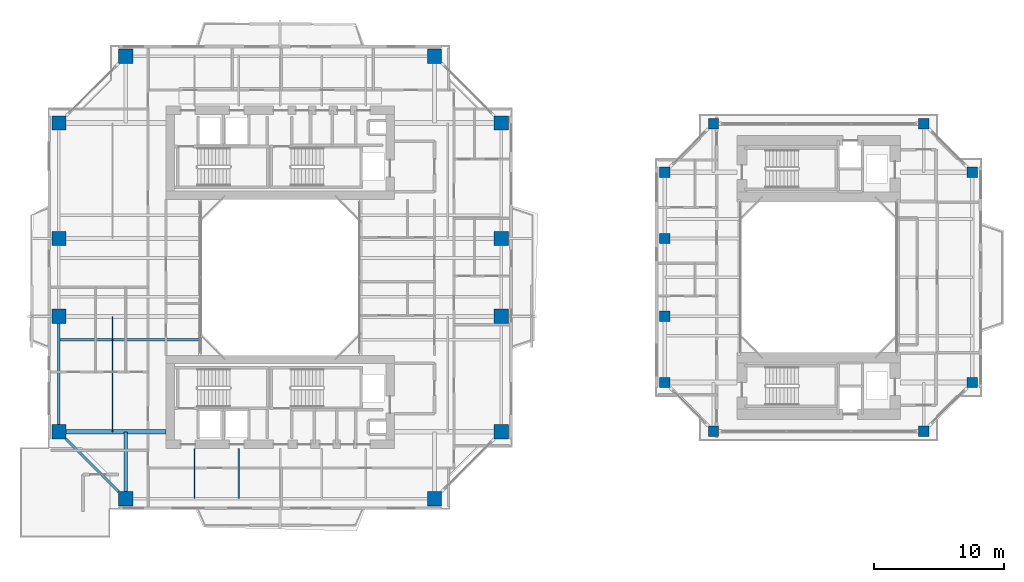
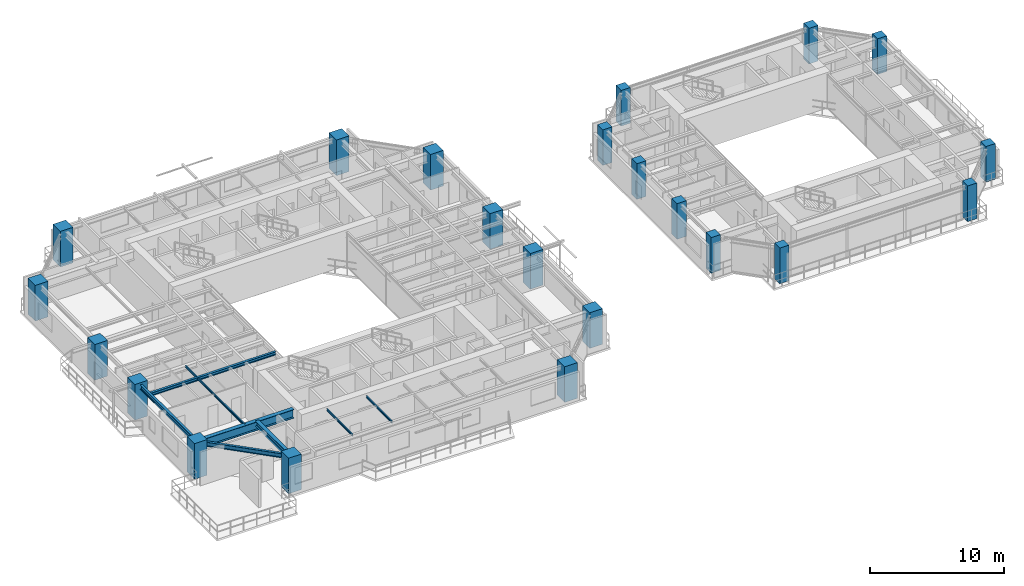
# One storey, part 1 of 23: 22 columns, 8 beams.
"""IFC4 building model written with IfcOpenShell, lengths in metres."""

from ifc_helpers import new_model, si_unit, direction, frame, origin, origin_2d, place, context, subcontext, project, spatial, rectangle, i_section, extrude, source, transform, mapped, material, material_profile, profile_set, type_object, element, save


model = new_model("IFC4")

# Units and contexts
model_context = context("Model", 3, precision=1e-05, world=origin(), true_north=direction((0.0, 1.0)))
body_context = subcontext(model_context, "Body", "Model", "MODEL_VIEW")
ifc_project = project(units=[si_unit("LENGTHUNIT", "METRE"), si_unit("AREAUNIT", "SQUARE_METRE"), si_unit("VOLUMEUNIT", "CUBIC_METRE"), si_unit("PLANEANGLEUNIT", "RADIAN"), si_unit("MASSUNIT", "GRAM", prefix="KILO"), si_unit("THERMODYNAMICTEMPERATUREUNIT", "KELVIN"), si_unit("POWERUNIT", "WATT")], contexts=[model_context])

# Site, building, storey
site_placement = place(None, origin())
site = spatial("IfcSite", under=ifc_project, at=site_placement, CompositionType="ELEMENT")
building_placement = place(site_placement, origin())
building = spatial("IfcBuilding", under=site, at=building_placement, Name="Qiaomeng Ring Towers", CompositionType="ELEMENT")
storey_placement = place(building_placement, frame((0.0, 0.0, 103.5)))
storey = spatial("IfcBuildingStorey", under=building, at=storey_placement, Name="L29", CompositionType="ELEMENT", Elevation=103.5)

# Columns
ifc_material_1 = material(Name="Concrete C55", Category="concrete")
ifc_material_profile_1 = material_profile(ifc_material_1, rectangle(XDim=0.800048828125, YDim=0.800048828125, at=origin_2d()), Name="RC COL 800x800")
ifc_profile_set_1 = profile_set([ifc_material_profile_1], Name="Concrete C55")
column_type_1 = type_object("IfcColumnType", Name="STR-COL-800-C55", PredefinedType="COLUMN", material=ifc_profile_set_1)
shared_shape_1 = source(origin(), body_context, "Body", "SweptSolid", [
    extrude(rectangle(XDim=0.800048828125, YDim=0.800048828125, at=origin_2d()), origin(), (0.0, 0.0, 1.0), 3.25),
])
for number, where, z_axis, x_axis, name in (
    (1, (52.39990234375, 11.14990234375, 0.0), (0.0, 0.0, 1.0), (1.0, 0.0, 0.0), "L29 column STR-COL-L29-T2-S1"),
    (2, (68.60009765625, 11.14990234375, 0.0), (0.0, 0.0, 1.0), (1.0, 0.0, 0.0), "L29 column STR-COL-L29-T2-S2"),
    (3, (72.35009765625, 14.89990234375, 0.0), (0.0, 0.0, 1.0), (1.0, 0.0, 0.0), "L29 column STR-COL-L29-T2-E1"),
    (4, (72.35009765625, 31.10009765625, 0.0), (0.0, 0.0, 1.0), (1.0, 0.0, 0.0), "L29 column STR-COL-L29-T2-E2"),
    (5, (68.60009765625, 34.85009765625, 0.0), (0.0, 0.0, 1.0), (1.0, 0.0, 0.0), "L29 column STR-COL-L29-T2-N2"),
    (6, (52.39990234375, 34.85009765625, 0.0), (0.0, 0.0, 1.0), (1.0, 0.0, 0.0), "L29 column STR-COL-L29-T2-N1"),
    (7, (48.64990234375, 14.89990234375, 0.0), (0.0, 0.0, 1.0), (1.0, 0.0, 0.0), "L29 column STR-COL-L29-T2-W1"),
    (8, (48.64990234375, 20.0, 0.0), (0.0, 0.0, 1.0), (1.0, 0.0, 0.0), "L29 column STR-COL-L29-T2-W2"),
    (9, (48.64990234375, 26.0, 0.0), (0.0, 0.0, 1.0), (1.0, 0.0, 0.0), "L29 column STR-COL-L29-T2-W3"),
    (10, (48.64990234375, 31.10009765625, 0.0), (0.0, 0.0, 1.0), (1.0, 0.0, 0.0), "L29 column STR-COL-L29-T2-W4"),
):
    element("IfcColumn", number, at=place(storey_placement, frame(where, z_axis=z_axis, x_axis=x_axis)), inside=storey, type_object=column_type_1, Name=name, PredefinedType="COLUMN", context=body_context, shape_type="MappedRepresentation", body=[
        mapped(shared_shape_1, transform((0.0, 0.0, 0.0), x_axis=(1.0, 0.0, 0.0), y_axis=(0.0, 1.0, 0.0), z_axis=(0.0, 0.0, 1.0), scale=1.0)),
    ])
ifc_material_profile_2 = material_profile(ifc_material_1, rectangle(XDim=1.10009765625, YDim=1.10009765625, at=origin_2d()), Name="RC COL 1100x1100")
ifc_profile_set_2 = profile_set([ifc_material_profile_2], Name="Concrete C55")
column_type_2 = type_object("IfcColumnType", Name="STR-COL-1100-C55", PredefinedType="COLUMN", material=ifc_profile_set_2)
shared_shape_2 = source(origin(), body_context, "Body", "SweptSolid", [
    extrude(rectangle(XDim=1.10009765625, YDim=1.10009765625, at=origin_2d()), origin(), (0.0, 0.0, 1.0), 3.25),
])
for number, where, z_axis, x_axis, name in (
    (11, (7.10009765625, 5.949951171875, 0.0), (0.0, 0.0, 1.0), (1.0, 0.0, 0.0), "L29 column STR-COL-L29-T1-S1"),
    (12, (30.89990234375, 5.949951171875, 0.0), (0.0, 0.0, 1.0), (1.0, 0.0, 0.0), "L29 column STR-COL-L29-T1-S2"),
    (13, (36.050048828125, 11.10009765625, 0.0), (0.0, 0.0, 1.0), (1.0, 0.0, 0.0), "L29 column STR-COL-L29-T1-E1"),
    (14, (36.050048828125, 20.0, 0.0), (0.0, 0.0, 1.0), (1.0, 0.0, 0.0), "L29 column STR-COL-L29-T1-E2"),
    (15, (36.050048828125, 26.0, 0.0), (0.0, 0.0, 1.0), (1.0, 0.0, 0.0), "L29 column STR-COL-L29-T1-E3"),
    (16, (36.050048828125, 34.89990234375, 0.0), (0.0, 0.0, 1.0), (1.0, 0.0, 0.0), "L29 column STR-COL-L29-T1-E4"),
    (17, (30.89990234375, 40.050048828125, 0.0), (0.0, 0.0, 1.0), (1.0, 0.0, 0.0), "L29 column STR-COL-L29-T1-N2"),
    (18, (7.10009765625, 40.050048828125, 0.0), (0.0, 0.0, 1.0), (1.0, 0.0, 0.0), "L29 column STR-COL-L29-T1-N1"),
    (19, (1.949951171875, 34.89990234375, 0.0), (0.0, 0.0, 1.0), (1.0, 0.0, 0.0), "L29 column STR-COL-L29-T1-W4"),
    (20, (1.949951171875, 26.0, 0.0), (0.0, 0.0, 1.0), (1.0, 0.0, 0.0), "L29 column STR-COL-L29-T1-W3"),
    (21, (1.949951171875, 20.0, 0.0), (0.0, 0.0, 1.0), (1.0, 0.0, 0.0), "L29 column STR-COL-L29-T1-W2"),
    (22, (1.949951171875, 11.10009765625, 0.0), (0.0, 0.0, 1.0), (1.0, 0.0, 0.0), "L29 column STR-COL-L29-T1-W1"),
):
    element("IfcColumn", number, at=place(storey_placement, frame(where, z_axis=z_axis, x_axis=x_axis)), inside=storey, type_object=column_type_2, Name=name, PredefinedType="COLUMN", context=body_context, shape_type="MappedRepresentation", body=[
        mapped(shared_shape_2, transform((0.0, 0.0, 0.0), x_axis=(1.0, 0.0, 0.0), y_axis=(0.0, 1.0, 0.0), z_axis=(0.0, 0.0, 1.0), scale=1.0)),
    ])

# Beams
ifc_material_2 = material(Name="Steel Q355B", Category="steel")
ifc_material_profile_3 = material_profile(ifc_material_2, i_section(OverallWidth=0.199951171875, OverallDepth=0.39990234375, WebThickness=0.008056640625, FlangeThickness=0.012939453125, FilletRadius=0.01611328125, at=origin_2d()), Name="HN 400x200x8x13")
ifc_profile_set_3 = profile_set([ifc_material_profile_3], Name="Steel Q355B")
beam_type_1 = type_object("IfcBeamType", Name="STR-BM-HN400", PredefinedType="SPANDREL", material=ifc_profile_set_3)
shared_shape_3 = source(origin(), body_context, "Body", "SweptSolid", [
    extrude(i_section(OverallWidth=0.199951171875, OverallDepth=0.39990234375, WebThickness=0.008056640625, FlangeThickness=0.012939453125, FilletRadius=0.01611328125, at=origin_2d()), origin(), (0.0, 0.0, 1.0), 5.729736328125),
])
beam_1_placement = place(storey_placement, frame((2.499267578125, 10.55078125, 2.8701171875), z_axis=(0.707106781187, -0.707106781187, 0.0), x_axis=(0.707106781187, 0.707106781187, 0.0)))
element("IfcBeam", 23, at=beam_1_placement, inside=storey, type_object=beam_type_1, Name="L29 beam STR-SP-L29-T1-W1-S1", PredefinedType="SPANDREL", context=body_context, shape_type="MappedRepresentation", body=[
    mapped(shared_shape_3, transform((0.0, 0.0, 0.0), x_axis=(1.0, 0.0, 0.0), y_axis=(0.0, 1.0, 0.0), z_axis=(0.0, 0.0, 1.0), scale=1.0)),
])
shared_shape_4 = source(origin(), body_context, "Body", "SweptSolid", [
    extrude(i_section(OverallWidth=0.199951171875, OverallDepth=0.39990234375, WebThickness=0.008056640625, FlangeThickness=0.012939453125, FilletRadius=0.01611328125, at=origin_2d()), origin(), (0.0, 0.0, 1.0), 7.802001953125),
])
beam_2_placement = place(storey_placement, frame((1.949951171875, 19.450927734375, 2.8701171875), z_axis=(0.0, -1.0, 0.0), x_axis=(1.0, 0.0, 0.0)))
element("IfcBeam", 24, at=beam_2_placement, inside=storey, type_object=beam_type_1, Name="L29 beam STR-SP-L29-T1-W2-W1", PredefinedType="SPANDREL", context=body_context, shape_type="MappedRepresentation", body=[
    mapped(shared_shape_4, transform((0.0, 0.0, 0.0), x_axis=(1.0, 0.0, 0.0), y_axis=(0.0, 1.0, 0.0), z_axis=(0.0, 0.0, 1.0), scale=1.0)),
])
ifc_material_3 = material(Name="Steel Q390GJC", Category="steel")
ifc_material_profile_4 = material_profile(ifc_material_3, i_section(OverallWidth=0.35009765625, OverallDepth=0.800048828125, WebThickness=0.01611328125, FlangeThickness=0.028076171875, at=origin_2d()), Name="WH 800x350x16x28")
ifc_profile_set_4 = profile_set([ifc_material_profile_4], Name="Steel Q390GJC")
beam_type_2 = type_object("IfcBeamType", Name="STR-BM-WH800", PredefinedType="BEAM", material=ifc_profile_set_4)
shared_shape_5 = source(origin(), body_context, "Body", "SweptSolid", [
    extrude(i_section(OverallWidth=0.35009765625, OverallDepth=0.800048828125, WebThickness=0.01611328125, FlangeThickness=0.028076171875, at=origin_2d()), origin(), (0.0, 0.0, 1.0), 7.700927734375),
])
beam_3_placement = place(storey_placement, frame((2.4990234375, 11.10009765625, 2.669921875), z_axis=(1.0, 0.0, 0.0), x_axis=(0.0, 1.0, 0.0)))
element("IfcBeam", 25, at=beam_3_placement, inside=storey, type_object=beam_type_2, Name="L29 beam STR-BM-L29-T1-RAD-W1", PredefinedType="BEAM", context=body_context, shape_type="MappedRepresentation", body=[
    mapped(shared_shape_5, transform((0.0, 0.0, 0.0), x_axis=(1.0, 0.0, 0.0), y_axis=(0.0, 1.0, 0.0), z_axis=(0.0, 0.0, 1.0), scale=1.0)),
])
ifc_material_profile_5 = material_profile(ifc_material_2, i_section(OverallWidth=0.300048828125, OverallDepth=0.488037109375, WebThickness=0.010986328125, FlangeThickness=0.01806640625, FilletRadius=0.02587890625, at=origin_2d()), Name="HM 488x300x11x18")
ifc_profile_set_5 = profile_set([ifc_material_profile_5], Name="Steel Q355B")
beam_type_3 = type_object("IfcBeamType", Name="STR-BM-HM488", PredefinedType="BEAM", material=ifc_profile_set_5)
shared_shape_6 = source(origin(), body_context, "Body", "SweptSolid", [
    extrude(i_section(OverallWidth=0.300048828125, OverallDepth=0.488037109375, WebThickness=0.010986328125, FlangeThickness=0.01806640625, FilletRadius=0.02587890625, at=origin_2d()), origin(), (0.0, 0.0, 1.0), 4.60107421875),
])
beam_4_placement = place(storey_placement, frame((7.10009765625, 6.4990234375, 2.825927734375), z_axis=(0.0, 1.0, 0.0), x_axis=(-1.0, 0.0, 0.0)))
element("IfcBeam", 26, at=beam_4_placement, inside=storey, type_object=beam_type_3, Name="L29 beam STR-BM-L29-T1-RAD-S1", PredefinedType="BEAM", context=body_context, shape_type="MappedRepresentation", body=[
    mapped(shared_shape_6, transform((0.0, 0.0, 0.0), x_axis=(1.0, 0.0, 0.0), y_axis=(0.0, 1.0, 0.0), z_axis=(0.0, 0.0, 1.0), scale=1.0)),
])
ifc_material_profile_6 = material_profile(ifc_material_2, i_section(OverallWidth=0.10009765625, OverallDepth=0.199951171875, WebThickness=0.005615234375, FlangeThickness=0.008056640625, FilletRadius=0.010986328125, at=origin_2d()), Name="HN 200x100x5.5x8")
ifc_profile_set_6 = profile_set([ifc_material_profile_6], Name="Steel Q355B")
beam_type_4 = type_object("IfcBeamType", Name="STR-BM-HN200", PredefinedType="JOIST", material=ifc_profile_set_6)
shared_shape_7 = source(origin(), body_context, "Body", "SweptSolid", [
    extrude(i_section(OverallWidth=0.10009765625, OverallDepth=0.199951171875, WebThickness=0.005615234375, FlangeThickness=0.008056640625, FilletRadius=0.010986328125, at=origin_2d()), origin(), (0.0, 0.0, 1.0), 3.85009765625),
])
for number, where, z_axis, x_axis, name in (
    (27, (12.39990234375, 5.949951171875, 2.969970703125), (0.0, 1.0, 0.0), (-1.0, 0.0, 0.0), "L29 beam STR-JST-L29-T1S-1"),
    (28, (15.800048828125, 5.949951171875, 2.969970703125), (0.0, 1.0, 0.0), (-1.0, 0.0, 0.0), "L29 beam STR-JST-L29-T1S-2"),
):
    element("IfcBeam", number, at=place(storey_placement, frame(where, z_axis=z_axis, x_axis=x_axis)), inside=storey, type_object=beam_type_4, Name=name, PredefinedType="JOIST", context=body_context, shape_type="MappedRepresentation", body=[
        mapped(shared_shape_7, transform((0.0, 0.0, 0.0), x_axis=(1.0, 0.0, 0.0), y_axis=(0.0, 1.0, 0.0), z_axis=(0.0, 0.0, 1.0), scale=1.0)),
    ])
ifc_material_profile_7 = material_profile(ifc_material_2, i_section(OverallWidth=0.199951171875, OverallDepth=0.2939453125, WebThickness=0.008056640625, FlangeThickness=0.011962890625, FilletRadius=0.01806640625, at=origin_2d()), Name="HM 294x200x8x12")
ifc_profile_set_7 = profile_set([ifc_material_profile_7], Name="Steel Q355B")
beam_type_5 = type_object("IfcBeamType", Name="STR-BM-HM294", PredefinedType="JOIST", material=ifc_profile_set_7)
shared_shape_8 = source(origin(), body_context, "Body", "SweptSolid", [
    extrude(i_section(OverallWidth=0.199951171875, OverallDepth=0.2939453125, WebThickness=0.008056640625, FlangeThickness=0.011962890625, FilletRadius=0.01806640625, at=origin_2d()), origin(), (0.0, 0.0, 1.0), 10.85009765625),
])
beam_5_placement = place(storey_placement, frame((1.949951171875, 18.199951171875, 2.923095703125), z_axis=(1.0, 0.0, 0.0), x_axis=(0.0, 1.0, 0.0)))
element("IfcBeam", 29, at=beam_5_placement, inside=storey, type_object=beam_type_5, Name="L29 beam STR-JST-L29-T1W-1", PredefinedType="JOIST", context=body_context, shape_type="MappedRepresentation", body=[
    mapped(shared_shape_8, transform((0.0, 0.0, 0.0), x_axis=(1.0, 0.0, 0.0), y_axis=(0.0, 1.0, 0.0), z_axis=(0.0, 0.0, 1.0), scale=1.0)),
])
shared_shape_9 = source(origin(), body_context, "Body", "SweptSolid", [
    extrude(i_section(OverallWidth=0.10009765625, OverallDepth=0.199951171875, WebThickness=0.005615234375, FlangeThickness=0.008056640625, FilletRadius=0.010986328125, at=origin_2d()), origin(), (0.0, 0.0, 1.0), 8.89990234375),
])
beam_6_placement = place(storey_placement, frame((6.074951171875, 11.10009765625, 2.969970703125), z_axis=(0.0, 1.0, 0.0), x_axis=(-1.0, 0.0, 0.0)))
element("IfcBeam", 30, at=beam_6_placement, inside=storey, type_object=beam_type_4, Name="L29 beam STR-JST-L29-T1C-WS", PredefinedType="JOIST", context=body_context, shape_type="MappedRepresentation", body=[
    mapped(shared_shape_9, transform((0.0, 0.0, 0.0), x_axis=(1.0, 0.0, 0.0), y_axis=(0.0, 1.0, 0.0), z_axis=(0.0, 0.0, 1.0), scale=1.0)),
])

save(model, "model.ifc")
